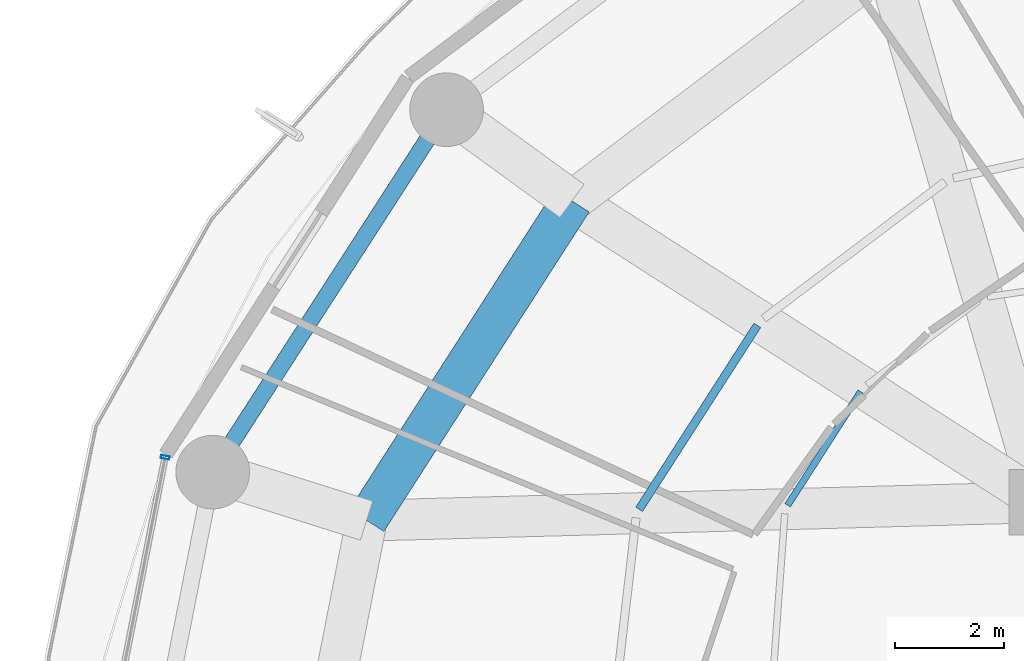
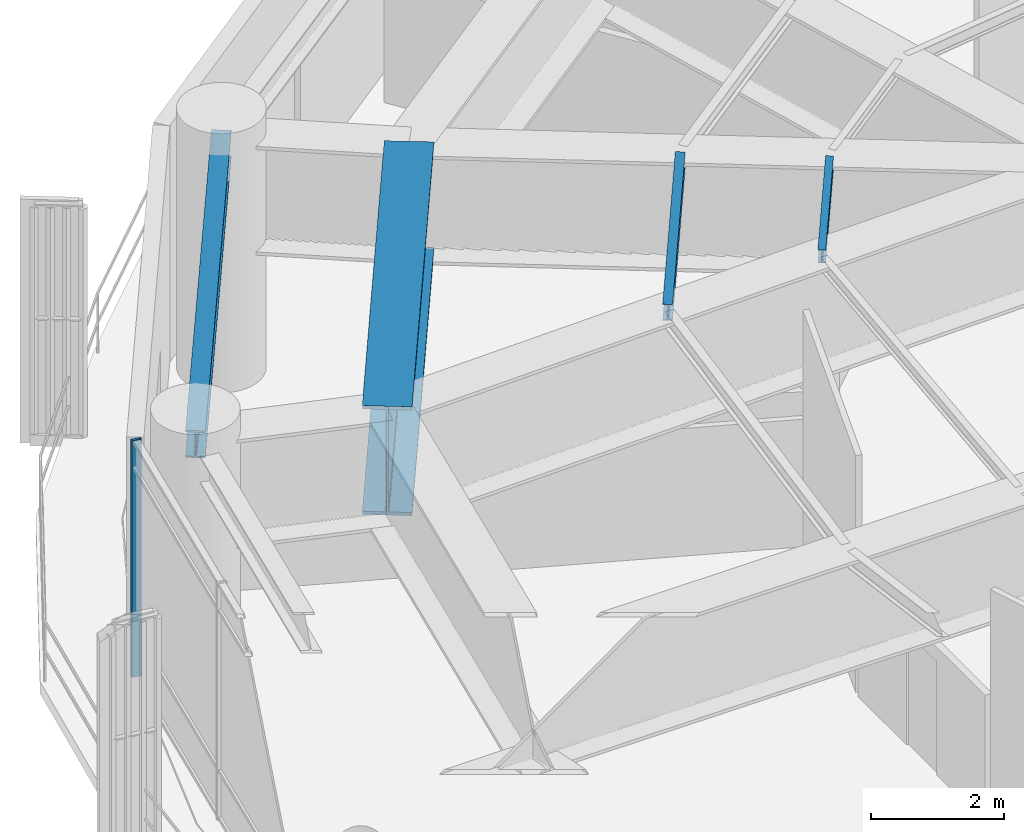
# One storey, part 16 of 34: 4 beams, 1 member, 1 element without a shape of its own.
"""IFC4 building model written with IfcOpenShell, lengths in metres."""

from ifc_helpers import new_model, si_unit, direction, frame, origin, origin_2d, place, context, subcontext, project, spatial, hollow_rectangle, i_section, extrude, material, layer, layer_set, material_profile, profile_set, type_object, element, aggregate, save


model = new_model("IFC4")

# Units and contexts
model_context = context("Model", 3, precision=1e-05, world=origin(), true_north=direction((0.0, 1.0)))
body_context = subcontext(model_context, "Body", "Model", "MODEL_VIEW")
ifc_project = project(units=[si_unit("LENGTHUNIT", "METRE"), si_unit("AREAUNIT", "SQUARE_METRE"), si_unit("VOLUMEUNIT", "CUBIC_METRE"), si_unit("PLANEANGLEUNIT", "RADIAN"), si_unit("MASSUNIT", "GRAM", prefix="KILO")], contexts=[model_context])

# Site, building, storey
site_placement = place(None, origin())
site = spatial("IfcSite", under=ifc_project, at=site_placement, CompositionType="ELEMENT")
building_placement = place(site_placement, origin())
building = spatial("IfcBuilding", under=site, at=building_placement, Name="Kelanora Arch Commons", CompositionType="ELEMENT")
storey_placement = place(building_placement, frame((0.0, 0.0, 125.10009765625)))
storey = spatial("IfcBuildingStorey", under=building, at=storey_placement, Name="L32", CompositionType="ELEMENT", Elevation=125.10009765625)

# Beams
ifc_material_1 = material(Name="Steel S355", Category="steel")
ifc_material_profile_1 = material_profile(ifc_material_1, i_section(OverallWidth=0.14990234375, OverallDepth=0.300048828125, WebThickness=0.007080078125, FlangeThickness=0.0107421875, FilletRadius=0.014892578125, at=origin_2d()), Name="IPE300")
ifc_profile_set_1 = profile_set([ifc_material_profile_1], Name="Steel S355")
beam_type_1 = type_object("IfcBeamType", Name="BM-JST-01", PredefinedType="JOIST", material=ifc_profile_set_1)
beam_1_placement = place(storey_placement, frame((60.789306640625, 68.241455078125, 4.2099609375), z_axis=(-0.540594434398, -0.841283339606, 0.0), x_axis=(0.841283339606, -0.540594434398, 0.0)))
element("IfcBeam", 1, at=beam_1_placement, inside=storey, type_object=beam_type_1, Name="Secondary Chord Joist BJB-14 L32", PredefinedType="JOIST", context=body_context, shape_type="SweptSolid", body=[
    extrude(i_section(OverallWidth=0.14990234375, OverallDepth=0.300048828125, WebThickness=0.007080078125, FlangeThickness=0.0107421875, FilletRadius=0.014892578125, at=origin_2d()), origin(), (0.0, 0.0, 1.0), 4.008544921875),
])
ifc_material_profile_2 = material_profile(ifc_material_1, i_section(OverallWidth=0.1201171875, OverallDepth=0.239990234375, WebThickness=0.006103515625, FlangeThickness=0.009765625, FilletRadius=0.014892578125, at=origin_2d()), Name="IPE240")
ifc_profile_set_2 = profile_set([ifc_material_profile_2], Name="Steel S355")
beam_type_2 = type_object("IfcBeamType", Name="BM-JST-02", PredefinedType="JOIST", material=ifc_profile_set_2)
beam_2_placement = place(storey_placement, frame((62.68310546875, 67.026611328125, 4.239990234375), z_axis=(-0.540583174025, -0.841290575224, 0.0), x_axis=(0.841290575224, -0.540583174025, 0.0)))
element("IfcBeam", 2, at=beam_2_placement, inside=storey, type_object=beam_type_2, Name="Secondary Chord Joist BJA-14 L32", PredefinedType="JOIST", context=body_context, shape_type="SweptSolid", body=[
    extrude(i_section(OverallWidth=0.1201171875, OverallDepth=0.239990234375, WebThickness=0.006103515625, FlangeThickness=0.009765625, FilletRadius=0.014892578125, at=origin_2d()), origin(), (0.0, 0.0, 1.0), 2.476318359375),
])
ifc_material_profile_3 = material_profile(ifc_material_1, i_section(OverallWidth=0.300048828125, OverallDepth=0.5, WebThickness=0.014404296875, FlangeThickness=0.028076171875, FilletRadius=0.027099609375, at=origin_2d()), Name="HEB500")
ifc_profile_set_3 = profile_set([ifc_material_profile_3], Name="Steel S355")
beam_type_3 = type_object("IfcBeamType", Name="BM-SPN-Z2", PredefinedType="SPANDREL", material=ifc_profile_set_3)
beam_3_placement = place(storey_placement, frame((55.093994140625, 72.19287109375, 4.10986328125), z_axis=(-0.542221144054, -0.840235818649, 0.0), x_axis=(0.840235818649, -0.542221144054, 0.0)))
element("IfcBeam", 3, at=beam_3_placement, inside=storey, type_object=beam_type_3, Name="Perimeter Spandrel Beam BS-14 L32", PredefinedType="SPANDREL", context=body_context, shape_type="SweptSolid", body=[
    extrude(i_section(OverallWidth=0.300048828125, OverallDepth=0.5, WebThickness=0.014404296875, FlangeThickness=0.028076171875, FilletRadius=0.027099609375, at=origin_2d()), origin(), (0.0, 0.0, 1.0), 7.90380859375),
])
ifc_material_profile_4 = material_profile(ifc_material_1, i_section(OverallWidth=0.75, OverallDepth=2.0, WebThickness=0.034912109375, FlangeThickness=0.06005859375, FilletRadius=0.028076171875, at=origin_2d()), Name="PG2000x750")
ifc_profile_set_4 = profile_set([ifc_material_profile_4], Name="Steel S355")
beam_type_4 = type_object("IfcBeamType", Name="BM-XFER-SET", PredefinedType="USERDEFINED", material=ifc_profile_set_4)
beam_4_placement = place(storey_placement, frame((57.39208984375, 70.521484375, 3.35986328125), z_axis=(-0.540576852469, -0.841294637196, 0.0), x_axis=(0.841294637196, -0.540576852469, 0.0)))
element("IfcBeam", 4, at=beam_4_placement, inside=storey, type_object=beam_type_4, Name="Setback Inner Transfer Ring BSI-14 L32", ObjectType="TRANSFER_GIRDER", PredefinedType="USERDEFINED", context=body_context, shape_type="SweptSolid", body=[
    extrude(i_section(OverallWidth=0.75, OverallDepth=2.0, WebThickness=0.034912109375, FlangeThickness=0.06005859375, FilletRadius=0.028076171875, at=origin_2d()), origin(), (0.0, 0.0, 1.0), 6.964111328125),
])

# Curtain wall, member
ifc_material_2 = material(Name="Terracotta ceramic-fritted low-E glass and aluminium", Category="masonry")
ifc_layer = layer(ifc_material_2, 0.159912109375)
ifc_layer_set = layer_set([ifc_layer], Name="Terracotta ceramic-fritted low-E glass and aluminium")
curtain_wall_type = type_object("IfcCurtainWallType", Name="CW-SYS-01", PredefinedType="NOTDEFINED", material=ifc_layer_set)
curtain_wall_placement = place(storey_placement, origin())
curtain_wall = element("IfcCurtainWall", 5, at=curtain_wall_placement, inside=storey, type_object=curtain_wall_type, Name="Unitised Curtain Wall L32-B08", PredefinedType="NOTDEFINED")
ifc_material_3 = material(Name="Powder-coated aluminium terracotta", Category="masonry")
ifc_material_profile_5 = material_profile(ifc_material_3, hollow_rectangle(XDim=0.159912109375, YDim=0.06005859375, WallThickness=0.0048828125, InnerFilletRadius=0.0048828125, OuterFilletRadius=0.010009765625, at=origin_2d()), Name="CWM160x60")
ifc_profile_set_5 = profile_set([ifc_material_profile_5], Name="Powder-coated aluminium terracotta")
member_type = type_object("IfcMemberType", Name="CWM-STD", PredefinedType="MULLION", material=ifc_profile_set_5)
member_placement = place(storey_placement, frame((49.935302734375, 65.822265625, 0.0), z_axis=(0.0, 0.0, 1.0), x_axis=(0.981280311646, -0.192584916272, 0.0)))
member = element("IfcMember", 6, at=member_placement, type_object=member_type, Name="CW-01 mullion 1", PredefinedType="MULLION", context=body_context, shape_type="SweptSolid", body=[
    extrude(hollow_rectangle(XDim=0.159912109375, YDim=0.06005859375, WallThickness=0.0048828125, InnerFilletRadius=0.0048828125, OuterFilletRadius=0.010009765625, at=origin_2d()), origin(), (0.0, 0.0, 1.0), 4.344970703125),
])
aggregate(curtain_wall, [member])

save(model, "model.ifc")
